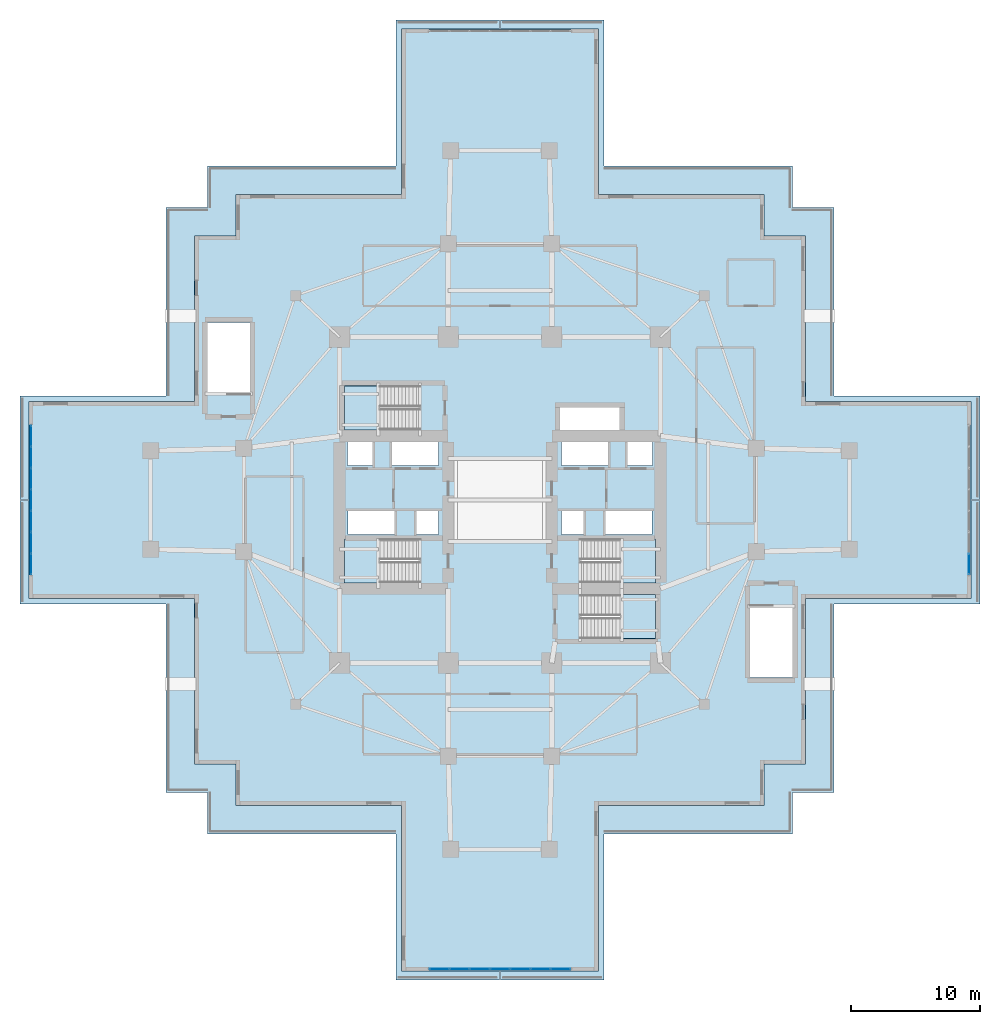
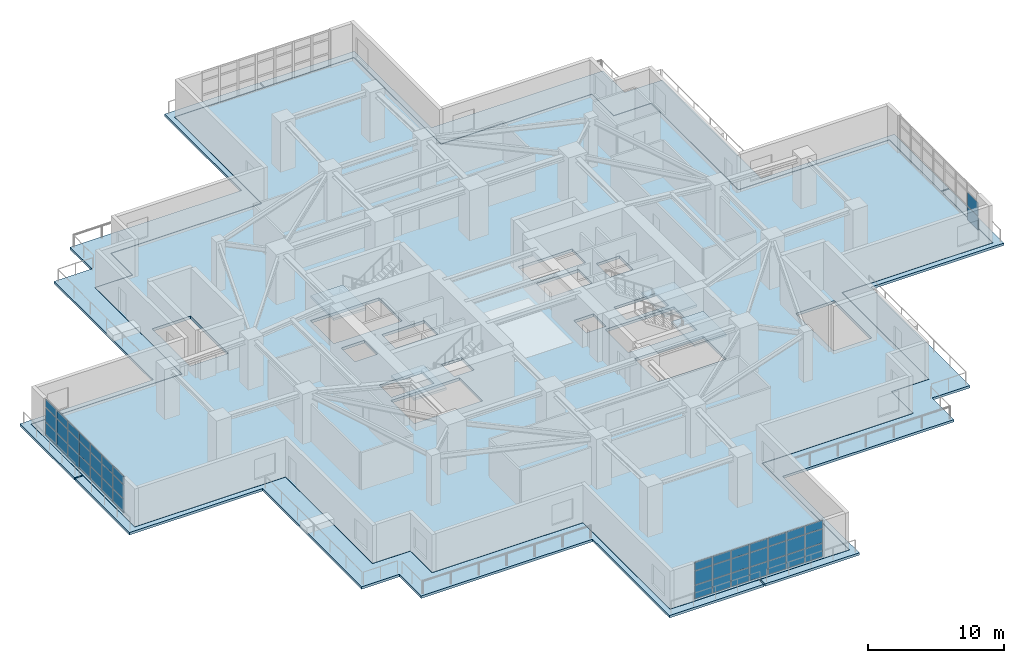
# One storey, part 13 of 24: 44 plates, 9 slabs, 7 elements without a shape of their own.
"""IFC4 building model written with IfcOpenShell, lengths in metres."""

from ifc_helpers import new_model, si_unit, direction, frame, origin, origin_2d, place, context, subcontext, project, spatial, polyline, rectangle, outline, extrude, material, layer, layer_set, type_object, element, aggregate, save


model = new_model("IFC4")

# Units and contexts
model_context = context("Model", 3, precision=1e-05, world=origin(), true_north=direction((0.0, 1.0)))
body_context = subcontext(model_context, "Body", "Model", "MODEL_VIEW")
ifc_project = project(units=[si_unit("LENGTHUNIT", "METRE"), si_unit("AREAUNIT", "SQUARE_METRE"), si_unit("VOLUMEUNIT", "CUBIC_METRE"), si_unit("PLANEANGLEUNIT", "RADIAN"), si_unit("MASSUNIT", "GRAM", prefix="KILO")], contexts=[model_context])

# Site, building, storey
site_placement = place(None, origin())
site = spatial("IfcSite", under=ifc_project, at=site_placement, CompositionType="ELEMENT")
building_placement = place(site_placement, origin())
building = spatial("IfcBuilding", under=site, at=building_placement, Name="Qingluan Cross Belvedere", CompositionType="ELEMENT")
storey_placement = place(building_placement, frame((0.0, 0.0, 19.199951171875)))
storey = spatial("IfcBuildingStorey", under=building, at=storey_placement, Name="L05", CompositionType="ELEMENT", Elevation=19.199951171875)

# Curtain wall, plates
ifc_material_1 = material(Name="Thermally broken aluminium and Low-E glass", Category="aluminium")
ifc_layer_1 = layer(ifc_material_1, 0.179931640625, Name="UnitisedCW_CascadeGarden")
ifc_layer_set_1 = layer_set([ifc_layer_1], Name="Thermally broken aluminium and Low-E glass")
curtain_wall_type = type_object("IfcCurtainWallType", Name="UnitisedCW_CascadeGarden", PredefinedType="USERDEFINED", material=ifc_layer_set_1)
curtain_wall_1_placement = place(storey_placement, origin())
curtain_wall_1 = element("IfcCurtainWall", 1, at=curtain_wall_1_placement, inside=storey, type_object=curtain_wall_type, Name="UnitisedCW_CascadeGarden run env:cw:L05:S", ObjectType="UNITISED CURTAIN WALL", PredefinedType="USERDEFINED")
ifc_material_2 = material(Name="Ceramic-fritted insulated spandrel glass", Category="glass")
ifc_layer_2 = layer(ifc_material_2, 0.0439453125, Name="CWSpandrelPanel_44")
ifc_layer_set_2 = layer_set([ifc_layer_2], Name="Ceramic-fritted insulated spandrel glass")
plate_type = type_object("IfcPlateType", Name="CWSpandrelPanel_44", PredefinedType="CURTAIN_PANEL", material=ifc_layer_set_2)
plate_1_placement = place(storey_placement, frame((4.68212890625, -36.239990234375, 0.06005859375), z_axis=(0.0, 0.0, 1.0), x_axis=(-1.0, 0.0, 0.0)))
plate_1 = element("IfcPlate", 2, at=plate_1_placement, type_object=plate_type, Name="CW-P3 panel 1.1", PredefinedType="CURTAIN_PANEL", context=body_context, shape_type="SweptSolid", body=[
    extrude(rectangle(XDim=1.475830078125, YDim=0.028076171875, at=origin_2d()), origin(), (0.0, 0.0, 1.0), 1.194091796875),
])
plate_2_placement = place(storey_placement, frame((4.68212890625, -36.239990234375, 1.31396484375), z_axis=(0.0, 0.0, 1.0), x_axis=(-1.0, 0.0, 0.0)))
plate_2 = element("IfcPlate", 3, at=plate_2_placement, type_object=plate_type, Name="CW-P3 panel 1.2", PredefinedType="CURTAIN_PANEL", context=body_context, shape_type="SweptSolid", body=[
    extrude(rectangle(XDim=1.475830078125, YDim=0.028076171875, at=origin_2d()), origin(), (0.0, 0.0, 1.0), 1.22509765625),
])
plate_3_placement = place(storey_placement, frame((4.68212890625, -36.239990234375, 2.59912109375), z_axis=(0.0, 0.0, 1.0), x_axis=(-1.0, 0.0, 0.0)))
plate_3 = element("IfcPlate", 4, at=plate_3_placement, type_object=plate_type, Name="CW-P3 panel 1.3", PredefinedType="CURTAIN_PANEL", context=body_context, shape_type="SweptSolid", body=[
    extrude(rectangle(XDim=1.475830078125, YDim=0.028076171875, at=origin_2d()), origin(), (0.0, 0.0, 1.0), 0.720947265625),
])
plate_4_placement = place(storey_placement, frame((3.13134765625, -36.239990234375, 0.06005859375), z_axis=(0.0, 0.0, 1.0), x_axis=(-1.0, 0.0, 0.0)))
plate_4 = element("IfcPlate", 5, at=plate_4_placement, type_object=plate_type, Name="CW-P3 panel 2.1", PredefinedType="CURTAIN_PANEL", context=body_context, shape_type="SweptSolid", body=[
    extrude(rectangle(XDim=1.505615234375, YDim=0.028076171875, at=origin_2d()), origin(), (0.0, 0.0, 1.0), 1.194091796875),
])
plate_5_placement = place(storey_placement, frame((3.13134765625, -36.239990234375, 1.31396484375), z_axis=(0.0, 0.0, 1.0), x_axis=(-1.0, 0.0, 0.0)))
plate_5 = element("IfcPlate", 6, at=plate_5_placement, type_object=plate_type, Name="CW-P3 panel 2.2", PredefinedType="CURTAIN_PANEL", context=body_context, shape_type="SweptSolid", body=[
    extrude(rectangle(XDim=1.505615234375, YDim=0.028076171875, at=origin_2d()), origin(), (0.0, 0.0, 1.0), 1.22509765625),
])
plate_6_placement = place(storey_placement, frame((3.13134765625, -36.239990234375, 2.59912109375), z_axis=(0.0, 0.0, 1.0), x_axis=(-1.0, 0.0, 0.0)))
plate_6 = element("IfcPlate", 7, at=plate_6_placement, type_object=plate_type, Name="CW-P3 panel 2.3", PredefinedType="CURTAIN_PANEL", context=body_context, shape_type="SweptSolid", body=[
    extrude(rectangle(XDim=1.505615234375, YDim=0.028076171875, at=origin_2d()), origin(), (0.0, 0.0, 1.0), 0.720947265625),
])
plate_7_placement = place(storey_placement, frame((1.565673828125, -36.239990234375, 0.06005859375), z_axis=(0.0, 0.0, 1.0), x_axis=(-1.0, 0.0, 0.0)))
plate_7 = element("IfcPlate", 8, at=plate_7_placement, type_object=plate_type, Name="CW-P3 panel 3.1", PredefinedType="CURTAIN_PANEL", context=body_context, shape_type="SweptSolid", body=[
    extrude(rectangle(XDim=1.505615234375, YDim=0.028076171875, at=origin_2d()), origin(), (0.0, 0.0, 1.0), 1.194091796875),
])
plate_8_placement = place(storey_placement, frame((1.565673828125, -36.239990234375, 1.31396484375), z_axis=(0.0, 0.0, 1.0), x_axis=(-1.0, 0.0, 0.0)))
plate_8 = element("IfcPlate", 9, at=plate_8_placement, type_object=plate_type, Name="CW-P3 panel 3.2", PredefinedType="CURTAIN_PANEL", context=body_context, shape_type="SweptSolid", body=[
    extrude(rectangle(XDim=1.505615234375, YDim=0.028076171875, at=origin_2d()), origin(), (0.0, 0.0, 1.0), 1.22509765625),
])
plate_9_placement = place(storey_placement, frame((1.565673828125, -36.239990234375, 2.59912109375), z_axis=(0.0, 0.0, 1.0), x_axis=(-1.0, 0.0, 0.0)))
plate_9 = element("IfcPlate", 10, at=plate_9_placement, type_object=plate_type, Name="CW-P3 panel 3.3", PredefinedType="CURTAIN_PANEL", context=body_context, shape_type="SweptSolid", body=[
    extrude(rectangle(XDim=1.505615234375, YDim=0.028076171875, at=origin_2d()), origin(), (0.0, 0.0, 1.0), 0.720947265625),
])
plate_10_placement = place(storey_placement, frame((0.0, -36.239990234375, 0.06005859375), z_axis=(0.0, 0.0, 1.0), x_axis=(-1.0, 0.0, 0.0)))
plate_10 = element("IfcPlate", 11, at=plate_10_placement, type_object=plate_type, Name="CW-P3 panel 4.1", PredefinedType="CURTAIN_PANEL", context=body_context, shape_type="SweptSolid", body=[
    extrude(rectangle(XDim=1.505615234375, YDim=0.028076171875, at=origin_2d()), origin(), (0.0, 0.0, 1.0), 1.194091796875),
])
plate_11_placement = place(storey_placement, frame((0.0, -36.239990234375, 1.31396484375), z_axis=(0.0, 0.0, 1.0), x_axis=(-1.0, 0.0, 0.0)))
plate_11 = element("IfcPlate", 12, at=plate_11_placement, type_object=plate_type, Name="CW-P3 panel 4.2", PredefinedType="CURTAIN_PANEL", context=body_context, shape_type="SweptSolid", body=[
    extrude(rectangle(XDim=1.505615234375, YDim=0.028076171875, at=origin_2d()), origin(), (0.0, 0.0, 1.0), 1.22509765625),
])
plate_12_placement = place(storey_placement, frame((0.0, -36.239990234375, 2.59912109375), z_axis=(0.0, 0.0, 1.0), x_axis=(-1.0, 0.0, 0.0)))
plate_12 = element("IfcPlate", 13, at=plate_12_placement, type_object=plate_type, Name="CW-P3 panel 4.3", PredefinedType="CURTAIN_PANEL", context=body_context, shape_type="SweptSolid", body=[
    extrude(rectangle(XDim=1.505615234375, YDim=0.028076171875, at=origin_2d()), origin(), (0.0, 0.0, 1.0), 0.720947265625),
])
plate_13_placement = place(storey_placement, frame((-1.565673828125, -36.239990234375, 0.06005859375), z_axis=(0.0, 0.0, 1.0), x_axis=(-1.0, 0.0, 0.0)))
plate_13 = element("IfcPlate", 14, at=plate_13_placement, type_object=plate_type, Name="CW-P3 panel 5.1", PredefinedType="CURTAIN_PANEL", context=body_context, shape_type="SweptSolid", body=[
    extrude(rectangle(XDim=1.505615234375, YDim=0.028076171875, at=origin_2d()), origin(), (0.0, 0.0, 1.0), 1.194091796875),
])
plate_14_placement = place(storey_placement, frame((-1.565673828125, -36.239990234375, 1.31396484375), z_axis=(0.0, 0.0, 1.0), x_axis=(-1.0, 0.0, 0.0)))
plate_14 = element("IfcPlate", 15, at=plate_14_placement, type_object=plate_type, Name="CW-P3 panel 5.2", PredefinedType="CURTAIN_PANEL", context=body_context, shape_type="SweptSolid", body=[
    extrude(rectangle(XDim=1.505615234375, YDim=0.028076171875, at=origin_2d()), origin(), (0.0, 0.0, 1.0), 1.22509765625),
])
plate_15_placement = place(storey_placement, frame((-1.565673828125, -36.239990234375, 2.59912109375), z_axis=(0.0, 0.0, 1.0), x_axis=(-1.0, 0.0, 0.0)))
plate_15 = element("IfcPlate", 16, at=plate_15_placement, type_object=plate_type, Name="CW-P3 panel 5.3", PredefinedType="CURTAIN_PANEL", context=body_context, shape_type="SweptSolid", body=[
    extrude(rectangle(XDim=1.505615234375, YDim=0.028076171875, at=origin_2d()), origin(), (0.0, 0.0, 1.0), 0.720947265625),
])
plate_16_placement = place(storey_placement, frame((-3.13134765625, -36.239990234375, 0.06005859375), z_axis=(0.0, 0.0, 1.0), x_axis=(-1.0, 0.0, 0.0)))
plate_16 = element("IfcPlate", 17, at=plate_16_placement, type_object=plate_type, Name="CW-P3 panel 6.1", PredefinedType="CURTAIN_PANEL", context=body_context, shape_type="SweptSolid", body=[
    extrude(rectangle(XDim=1.505615234375, YDim=0.028076171875, at=origin_2d()), origin(), (0.0, 0.0, 1.0), 1.194091796875),
])
plate_17_placement = place(storey_placement, frame((-3.13134765625, -36.239990234375, 1.31396484375), z_axis=(0.0, 0.0, 1.0), x_axis=(-1.0, 0.0, 0.0)))
plate_17 = element("IfcPlate", 18, at=plate_17_placement, type_object=plate_type, Name="CW-P3 panel 6.2", PredefinedType="CURTAIN_PANEL", context=body_context, shape_type="SweptSolid", body=[
    extrude(rectangle(XDim=1.505615234375, YDim=0.028076171875, at=origin_2d()), origin(), (0.0, 0.0, 1.0), 1.22509765625),
])
plate_18_placement = place(storey_placement, frame((-3.13134765625, -36.239990234375, 2.59912109375), z_axis=(0.0, 0.0, 1.0), x_axis=(-1.0, 0.0, 0.0)))
plate_18 = element("IfcPlate", 19, at=plate_18_placement, type_object=plate_type, Name="CW-P3 panel 6.3", PredefinedType="CURTAIN_PANEL", context=body_context, shape_type="SweptSolid", body=[
    extrude(rectangle(XDim=1.505615234375, YDim=0.028076171875, at=origin_2d()), origin(), (0.0, 0.0, 1.0), 0.720947265625),
])
plate_19_placement = place(storey_placement, frame((-4.68212890625, -36.239990234375, 0.06005859375), z_axis=(0.0, 0.0, 1.0), x_axis=(-1.0, 0.0, 0.0)))
plate_19 = element("IfcPlate", 20, at=plate_19_placement, type_object=plate_type, Name="CW-P3 panel 7.1", PredefinedType="CURTAIN_PANEL", context=body_context, shape_type="SweptSolid", body=[
    extrude(rectangle(XDim=1.475830078125, YDim=0.028076171875, at=origin_2d()), origin(), (0.0, 0.0, 1.0), 1.194091796875),
])
plate_20_placement = place(storey_placement, frame((-4.68212890625, -36.239990234375, 1.31396484375), z_axis=(0.0, 0.0, 1.0), x_axis=(-1.0, 0.0, 0.0)))
plate_20 = element("IfcPlate", 21, at=plate_20_placement, type_object=plate_type, Name="CW-P3 panel 7.2", PredefinedType="CURTAIN_PANEL", context=body_context, shape_type="SweptSolid", body=[
    extrude(rectangle(XDim=1.475830078125, YDim=0.028076171875, at=origin_2d()), origin(), (0.0, 0.0, 1.0), 1.22509765625),
])
plate_21_placement = place(storey_placement, frame((-4.68212890625, -36.239990234375, 2.59912109375), z_axis=(0.0, 0.0, 1.0), x_axis=(-1.0, 0.0, 0.0)))
plate_21 = element("IfcPlate", 22, at=plate_21_placement, type_object=plate_type, Name="CW-P3 panel 7.3", PredefinedType="CURTAIN_PANEL", context=body_context, shape_type="SweptSolid", body=[
    extrude(rectangle(XDim=1.475830078125, YDim=0.028076171875, at=origin_2d()), origin(), (0.0, 0.0, 1.0), 0.720947265625),
])
aggregate(curtain_wall_1, [plate_1, plate_2, plate_3, plate_4, plate_5, plate_6, plate_7, plate_8, plate_9, plate_10, plate_11, plate_12, plate_13, plate_14, plate_15, plate_16, plate_17, plate_18, plate_19, plate_20, plate_21])

curtain_wall_2_placement = place(storey_placement, origin())
curtain_wall_2 = element("IfcCurtainWall", 23, at=curtain_wall_2_placement, inside=storey, type_object=curtain_wall_type, Name="UnitisedCW_CascadeGarden run env:cw:L05:W", ObjectType="UNITISED CURTAIN WALL", PredefinedType="USERDEFINED")
plate_22_placement = place(storey_placement, frame((-36.239990234375, -4.95654296875, 0.06005859375), z_axis=(0.0, 0.0, 1.0), x_axis=(0.0, 1.0, 0.0)))
plate_22 = element("IfcPlate", 24, at=plate_22_placement, type_object=plate_type, Name="CW-P3 panel 1.1", PredefinedType="CURTAIN_PANEL", context=body_context, shape_type="SweptSolid", body=[
    extrude(rectangle(XDim=1.567138671875, YDim=0.028076171875, at=origin_2d()), origin(), (0.0, 0.0, 1.0), 1.194091796875),
])
plate_23_placement = place(storey_placement, frame((-36.239990234375, -4.95654296875, 1.31396484375), z_axis=(0.0, 0.0, 1.0), x_axis=(0.0, 1.0, 0.0)))
plate_23 = element("IfcPlate", 25, at=plate_23_placement, type_object=plate_type, Name="CW-P3 panel 1.2", PredefinedType="CURTAIN_PANEL", context=body_context, shape_type="SweptSolid", body=[
    extrude(rectangle(XDim=1.567138671875, YDim=0.028076171875, at=origin_2d()), origin(), (0.0, 0.0, 1.0), 1.22509765625),
])
plate_24_placement = place(storey_placement, frame((-36.239990234375, -4.95654296875, 2.59912109375), z_axis=(0.0, 0.0, 1.0), x_axis=(0.0, 1.0, 0.0)))
plate_24 = element("IfcPlate", 26, at=plate_24_placement, type_object=plate_type, Name="CW-P3 panel 1.3", PredefinedType="CURTAIN_PANEL", context=body_context, shape_type="SweptSolid", body=[
    extrude(rectangle(XDim=1.567138671875, YDim=0.028076171875, at=origin_2d()), origin(), (0.0, 0.0, 1.0), 0.720947265625),
])
plate_25_placement = place(storey_placement, frame((-36.239990234375, -3.314208984375, 0.06005859375), z_axis=(0.0, 0.0, 1.0), x_axis=(0.0, 1.0, 0.0)))
plate_25 = element("IfcPlate", 27, at=plate_25_placement, type_object=plate_type, Name="CW-P3 panel 2.1", PredefinedType="CURTAIN_PANEL", context=body_context, shape_type="SweptSolid", body=[
    extrude(rectangle(XDim=1.59716796875, YDim=0.028076171875, at=origin_2d()), origin(), (0.0, 0.0, 1.0), 1.194091796875),
])
plate_26_placement = place(storey_placement, frame((-36.239990234375, -3.314208984375, 1.31396484375), z_axis=(0.0, 0.0, 1.0), x_axis=(0.0, 1.0, 0.0)))
plate_26 = element("IfcPlate", 28, at=plate_26_placement, type_object=plate_type, Name="CW-P3 panel 2.2", PredefinedType="CURTAIN_PANEL", context=body_context, shape_type="SweptSolid", body=[
    extrude(rectangle(XDim=1.59716796875, YDim=0.028076171875, at=origin_2d()), origin(), (0.0, 0.0, 1.0), 1.22509765625),
])
plate_27_placement = place(storey_placement, frame((-36.239990234375, -3.314208984375, 2.59912109375), z_axis=(0.0, 0.0, 1.0), x_axis=(0.0, 1.0, 0.0)))
plate_27 = element("IfcPlate", 29, at=plate_27_placement, type_object=plate_type, Name="CW-P3 panel 2.3", PredefinedType="CURTAIN_PANEL", context=body_context, shape_type="SweptSolid", body=[
    extrude(rectangle(XDim=1.59716796875, YDim=0.028076171875, at=origin_2d()), origin(), (0.0, 0.0, 1.0), 0.720947265625),
])
plate_28_placement = place(storey_placement, frame((-36.239990234375, -1.6572265625, 0.06005859375), z_axis=(0.0, 0.0, 1.0), x_axis=(0.0, 1.0, 0.0)))
plate_28 = element("IfcPlate", 30, at=plate_28_placement, type_object=plate_type, Name="CW-P3 panel 3.1", PredefinedType="CURTAIN_PANEL", context=body_context, shape_type="SweptSolid", body=[
    extrude(rectangle(XDim=1.59716796875, YDim=0.028076171875, at=origin_2d()), origin(), (0.0, 0.0, 1.0), 1.194091796875),
])
plate_29_placement = place(storey_placement, frame((-36.239990234375, -1.6572265625, 1.31396484375), z_axis=(0.0, 0.0, 1.0), x_axis=(0.0, 1.0, 0.0)))
plate_29 = element("IfcPlate", 31, at=plate_29_placement, type_object=plate_type, Name="CW-P3 panel 3.2", PredefinedType="CURTAIN_PANEL", context=body_context, shape_type="SweptSolid", body=[
    extrude(rectangle(XDim=1.59716796875, YDim=0.028076171875, at=origin_2d()), origin(), (0.0, 0.0, 1.0), 1.22509765625),
])
plate_30_placement = place(storey_placement, frame((-36.239990234375, -1.6572265625, 2.59912109375), z_axis=(0.0, 0.0, 1.0), x_axis=(0.0, 1.0, 0.0)))
plate_30 = element("IfcPlate", 32, at=plate_30_placement, type_object=plate_type, Name="CW-P3 panel 3.3", PredefinedType="CURTAIN_PANEL", context=body_context, shape_type="SweptSolid", body=[
    extrude(rectangle(XDim=1.59716796875, YDim=0.028076171875, at=origin_2d()), origin(), (0.0, 0.0, 1.0), 0.720947265625),
])
plate_31_placement = place(storey_placement, frame((-36.239990234375, 0.0, 0.06005859375), z_axis=(0.0, 0.0, 1.0), x_axis=(0.0, 1.0, 0.0)))
plate_31 = element("IfcPlate", 33, at=plate_31_placement, type_object=plate_type, Name="CW-P3 panel 4.1", PredefinedType="CURTAIN_PANEL", context=body_context, shape_type="SweptSolid", body=[
    extrude(rectangle(XDim=1.59716796875, YDim=0.028076171875, at=origin_2d()), origin(), (0.0, 0.0, 1.0), 1.194091796875),
])
plate_32_placement = place(storey_placement, frame((-36.239990234375, 0.0, 1.31396484375), z_axis=(0.0, 0.0, 1.0), x_axis=(0.0, 1.0, 0.0)))
plate_32 = element("IfcPlate", 34, at=plate_32_placement, type_object=plate_type, Name="CW-P3 panel 4.2", PredefinedType="CURTAIN_PANEL", context=body_context, shape_type="SweptSolid", body=[
    extrude(rectangle(XDim=1.59716796875, YDim=0.028076171875, at=origin_2d()), origin(), (0.0, 0.0, 1.0), 1.22509765625),
])
plate_33_placement = place(storey_placement, frame((-36.239990234375, 0.0, 2.59912109375), z_axis=(0.0, 0.0, 1.0), x_axis=(0.0, 1.0, 0.0)))
plate_33 = element("IfcPlate", 35, at=plate_33_placement, type_object=plate_type, Name="CW-P3 panel 4.3", PredefinedType="CURTAIN_PANEL", context=body_context, shape_type="SweptSolid", body=[
    extrude(rectangle(XDim=1.59716796875, YDim=0.028076171875, at=origin_2d()), origin(), (0.0, 0.0, 1.0), 0.720947265625),
])
plate_34_placement = place(storey_placement, frame((-36.239990234375, 1.6572265625, 0.06005859375), z_axis=(0.0, 0.0, 1.0), x_axis=(0.0, 1.0, 0.0)))
plate_34 = element("IfcPlate", 36, at=plate_34_placement, type_object=plate_type, Name="CW-P3 panel 5.1", PredefinedType="CURTAIN_PANEL", context=body_context, shape_type="SweptSolid", body=[
    extrude(rectangle(XDim=1.59716796875, YDim=0.028076171875, at=origin_2d()), origin(), (0.0, 0.0, 1.0), 1.194091796875),
])
plate_35_placement = place(storey_placement, frame((-36.239990234375, 1.6572265625, 1.31396484375), z_axis=(0.0, 0.0, 1.0), x_axis=(0.0, 1.0, 0.0)))
plate_35 = element("IfcPlate", 37, at=plate_35_placement, type_object=plate_type, Name="CW-P3 panel 5.2", PredefinedType="CURTAIN_PANEL", context=body_context, shape_type="SweptSolid", body=[
    extrude(rectangle(XDim=1.59716796875, YDim=0.028076171875, at=origin_2d()), origin(), (0.0, 0.0, 1.0), 1.22509765625),
])
plate_36_placement = place(storey_placement, frame((-36.239990234375, 1.6572265625, 2.59912109375), z_axis=(0.0, 0.0, 1.0), x_axis=(0.0, 1.0, 0.0)))
plate_36 = element("IfcPlate", 38, at=plate_36_placement, type_object=plate_type, Name="CW-P3 panel 5.3", PredefinedType="CURTAIN_PANEL", context=body_context, shape_type="SweptSolid", body=[
    extrude(rectangle(XDim=1.59716796875, YDim=0.028076171875, at=origin_2d()), origin(), (0.0, 0.0, 1.0), 0.720947265625),
])
plate_37_placement = place(storey_placement, frame((-36.239990234375, 3.314208984375, 0.06005859375), z_axis=(0.0, 0.0, 1.0), x_axis=(0.0, 1.0, 0.0)))
plate_37 = element("IfcPlate", 39, at=plate_37_placement, type_object=plate_type, Name="CW-P3 panel 6.1", PredefinedType="CURTAIN_PANEL", context=body_context, shape_type="SweptSolid", body=[
    extrude(rectangle(XDim=1.59716796875, YDim=0.028076171875, at=origin_2d()), origin(), (0.0, 0.0, 1.0), 1.194091796875),
])
plate_38_placement = place(storey_placement, frame((-36.239990234375, 3.314208984375, 1.31396484375), z_axis=(0.0, 0.0, 1.0), x_axis=(0.0, 1.0, 0.0)))
plate_38 = element("IfcPlate", 40, at=plate_38_placement, type_object=plate_type, Name="CW-P3 panel 6.2", PredefinedType="CURTAIN_PANEL", context=body_context, shape_type="SweptSolid", body=[
    extrude(rectangle(XDim=1.59716796875, YDim=0.028076171875, at=origin_2d()), origin(), (0.0, 0.0, 1.0), 1.22509765625),
])
plate_39_placement = place(storey_placement, frame((-36.239990234375, 3.314208984375, 2.59912109375), z_axis=(0.0, 0.0, 1.0), x_axis=(0.0, 1.0, 0.0)))
plate_39 = element("IfcPlate", 41, at=plate_39_placement, type_object=plate_type, Name="CW-P3 panel 6.3", PredefinedType="CURTAIN_PANEL", context=body_context, shape_type="SweptSolid", body=[
    extrude(rectangle(XDim=1.59716796875, YDim=0.028076171875, at=origin_2d()), origin(), (0.0, 0.0, 1.0), 0.720947265625),
])
plate_40_placement = place(storey_placement, frame((-36.239990234375, 4.95654296875, 0.06005859375), z_axis=(0.0, 0.0, 1.0), x_axis=(0.0, 1.0, 0.0)))
plate_40 = element("IfcPlate", 42, at=plate_40_placement, type_object=plate_type, Name="CW-P3 panel 7.1", PredefinedType="CURTAIN_PANEL", context=body_context, shape_type="SweptSolid", body=[
    extrude(rectangle(XDim=1.567138671875, YDim=0.028076171875, at=origin_2d()), origin(), (0.0, 0.0, 1.0), 1.194091796875),
])
plate_41_placement = place(storey_placement, frame((-36.239990234375, 4.95654296875, 1.31396484375), z_axis=(0.0, 0.0, 1.0), x_axis=(0.0, 1.0, 0.0)))
plate_41 = element("IfcPlate", 43, at=plate_41_placement, type_object=plate_type, Name="CW-P3 panel 7.2", PredefinedType="CURTAIN_PANEL", context=body_context, shape_type="SweptSolid", body=[
    extrude(rectangle(XDim=1.567138671875, YDim=0.028076171875, at=origin_2d()), origin(), (0.0, 0.0, 1.0), 1.22509765625),
])
plate_42_placement = place(storey_placement, frame((-36.239990234375, 4.95654296875, 2.59912109375), z_axis=(0.0, 0.0, 1.0), x_axis=(0.0, 1.0, 0.0)))
plate_42 = element("IfcPlate", 44, at=plate_42_placement, type_object=plate_type, Name="CW-P3 panel 7.3", PredefinedType="CURTAIN_PANEL", context=body_context, shape_type="SweptSolid", body=[
    extrude(rectangle(XDim=1.567138671875, YDim=0.028076171875, at=origin_2d()), origin(), (0.0, 0.0, 1.0), 0.720947265625),
])
aggregate(curtain_wall_2, [plate_22, plate_23, plate_24, plate_25, plate_26, plate_27, plate_28, plate_29, plate_30, plate_31, plate_32, plate_33, plate_34, plate_35, plate_36, plate_37, plate_38, plate_39, plate_40, plate_41, plate_42])

curtain_wall_3_placement = place(storey_placement, origin())
curtain_wall_3 = element("IfcCurtainWall", 45, at=curtain_wall_3_placement, inside=storey, type_object=curtain_wall_type, Name="UnitisedCW_CascadeGarden run env:cw:L05:E", ObjectType="UNITISED CURTAIN WALL", PredefinedType="USERDEFINED")
plate_43_placement = place(storey_placement, frame((36.239990234375, -4.95654296875, 0.06005859375), z_axis=(0.0, 0.0, 1.0), x_axis=(0.0, -1.0, 0.0)))
plate_43 = element("IfcPlate", 46, at=plate_43_placement, type_object=plate_type, Name="CW-P3 panel 7.1", PredefinedType="CURTAIN_PANEL", context=body_context, shape_type="SweptSolid", body=[
    extrude(rectangle(XDim=1.567138671875, YDim=0.028076171875, at=origin_2d()), origin(), (0.0, 0.0, 1.0), 1.194091796875),
])
plate_44_placement = place(storey_placement, frame((36.239990234375, -4.95654296875, 1.31396484375), z_axis=(0.0, 0.0, 1.0), x_axis=(0.0, -1.0, 0.0)))
plate_44 = element("IfcPlate", 47, at=plate_44_placement, type_object=plate_type, Name="CW-P3 panel 7.2", PredefinedType="CURTAIN_PANEL", context=body_context, shape_type="SweptSolid", body=[
    extrude(rectangle(XDim=1.567138671875, YDim=0.028076171875, at=origin_2d()), origin(), (0.0, 0.0, 1.0), 1.22509765625),
])
aggregate(curtain_wall_3, [plate_43, plate_44])

# Slab
ifc_material_3 = material(Name="Concrete C40", Category="concrete")
ifc_layer_3 = layer(ifc_material_3, 0.25, Name="FloorSlab_250")
ifc_layer_set_3 = layer_set([ifc_layer_3], Name="Concrete C40")
slab_type_1 = type_object("IfcSlabType", Name="FloorSlab_250", PredefinedType="FLOOR", material=ifc_layer_set_3)
slab_1_placement = place(storey_placement, frame((0.0, 0.0, -0.25)))
element("IfcSlab", 48, at=slab_1_placement, inside=storey, type_object=slab_type_1, Name="Structural floor slab L05", PredefinedType="FLOOR", context=body_context, shape_type="SweptSolid", body=[
    extrude(outline(polyline([(20.39990234375, -23.60009765625), (20.39990234375, -20.39990234375), (23.60009765625, -20.39990234375), (23.60009765625, -7.60009765625), (36.39990234375, -7.60009765625), (36.39990234375, 7.60009765625), (23.60009765625, 7.60009765625), (23.60009765625, 20.39990234375), (20.39990234375, 20.39990234375), (20.39990234375, 23.60009765625), (7.60009765625, 23.60009765625), (7.60009765625, 36.39990234375), (-7.60009765625, 36.39990234375), (-7.60009765625, 23.60009765625), (-20.39990234375, 23.60009765625), (-20.39990234375, 20.39990234375), (-23.60009765625, 20.39990234375), (-23.60009765625, 7.60009765625), (-36.39990234375, 7.60009765625), (-36.39990234375, -7.60009765625), (-23.60009765625, -7.60009765625), (-23.60009765625, -20.39990234375), (-20.39990234375, -20.39990234375), (-20.39990234375, -23.60009765625), (-7.60009765625, -23.60009765625), (-7.60009765625, -36.39990234375), (7.60009765625, -36.39990234375), (7.60009765625, -23.60009765625), (20.39990234375, -23.60009765625)]), holes=[polyline([(-12.0, -3.0), (-6.179931640625, -3.0), (-6.179931640625, -6.39990234375), (-12.0, -6.39990234375), (-12.0, -3.0)]), polyline([(6.179931640625, -3.0), (12.0, -3.0), (12.0, -6.39990234375), (6.179931640625, -6.39990234375), (6.179931640625, -3.0)]), polyline([(-12.0, 8.820068359375), (-6.179931640625, 8.820068359375), (-6.179931640625, 5.419921875), (-12.0, 5.419921875), (-12.0, 8.820068359375)]), polyline([(6.179931640625, -7.320068359375), (12.0, -7.320068359375), (12.0, -10.719970703125), (6.179931640625, -10.719970703125), (6.179931640625, -7.320068359375)]), polyline([(-22.60009765625, 13.72998046875), (-19.340087890625, 13.72998046875), (-19.340087890625, 8.2099609375), (-22.60009765625, 8.2099609375), (-22.60009765625, 13.72998046875)]), polyline([(19.340087890625, -8.2099609375), (22.60009765625, -8.2099609375), (22.60009765625, -13.72998046875), (19.340087890625, -13.72998046875), (19.340087890625, -8.2099609375)]), polyline([(-11.800048828125, 4.64990234375), (-9.85009765625, 4.64990234375), (-9.85009765625, 2.64990234375), (-11.800048828125, 2.64990234375), (-11.800048828125, 4.64990234375)]), polyline([(-8.35009765625, 4.64990234375), (-4.75, 4.64990234375), (-4.75, 2.64990234375), (-8.35009765625, 2.64990234375), (-8.35009765625, 4.64990234375)]), polyline([(4.75, 4.64990234375), (8.35009765625, 4.64990234375), (8.35009765625, 2.64990234375), (4.75, 2.64990234375), (4.75, 4.64990234375)]), polyline([(9.85009765625, 4.64990234375), (11.800048828125, 4.64990234375), (11.800048828125, 2.64990234375), (9.85009765625, 2.64990234375), (9.85009765625, 4.64990234375)]), polyline([(-11.75, -0.840087890625), (-8.14990234375, -0.840087890625), (-8.14990234375, -2.659912109375), (-11.75, -2.659912109375), (-11.75, -0.840087890625)]), polyline([(-6.449951171875, -0.840087890625), (-4.75, -0.840087890625), (-4.75, -2.659912109375), (-6.449951171875, -2.659912109375), (-6.449951171875, -0.840087890625)]), polyline([(4.75, -0.840087890625), (6.449951171875, -0.840087890625), (6.449951171875, -2.659912109375), (4.75, -2.659912109375), (4.75, -0.840087890625)]), polyline([(8.14990234375, -0.840087890625), (11.75, -0.840087890625), (11.75, -2.659912109375), (8.14990234375, -2.659912109375), (8.14990234375, -0.840087890625)]), polyline([(4.64990234375, 7.14990234375), (9.25, 7.14990234375), (9.25, 5.14990234375), (4.64990234375, 5.14990234375), (4.64990234375, 7.14990234375)])]), origin(), (0.0, 0.0, 1.0), 0.25),
])

# Stair, slab
ifc_material_4 = material(Name="Concrete C40", Category="concrete")
stair_type = type_object("IfcStairType", Name="CoreDoglegStair_1620", PredefinedType="HALF_TURN_STAIR", material=ifc_material_4)
stair_1_placement = place(storey_placement, origin())
stair_1 = element("IfcStair", 49, at=stair_1_placement, inside=storey, type_object=stair_type, Name="L05 ST1", PredefinedType="HALF_TURN_STAIR")
ifc_material_5 = material(Name="Concrete C40", Category="concrete")
ifc_layer_4 = layer(ifc_material_5, 0.179931640625, Name="StairLandingSlab_180")
ifc_layer_set_4 = layer_set([ifc_layer_4], Name="Concrete C40")
slab_type_2 = type_object("IfcSlabType", Name="StairLandingSlab_180", PredefinedType="LANDING", material=ifc_layer_set_4)
slab_2_placement = place(storey_placement, frame((0.0, 0.0, 2.050048828125)))
slab_2 = element("IfcSlab", 50, at=slab_2_placement, type_object=slab_type_2, Name="ST1 landing 1", PredefinedType="LANDING", context=body_context, shape_type="SweptSolid", body=[
    extrude(outline(polyline([(-9.260009765625, -3.0), (-12.0, -3.0), (-12.0, -6.39990234375), (-9.260009765625, -6.39990234375), (-9.260009765625, -3.0)])), origin(), (0.0, 0.0, 1.0), 0.199951171875),
])
aggregate(stair_1, [slab_2])

stair_2_placement = place(storey_placement, origin())
stair_2 = element("IfcStair", 51, at=stair_2_placement, inside=storey, type_object=stair_type, Name="L05 ST2", PredefinedType="HALF_TURN_STAIR")
slab_3_placement = place(storey_placement, frame((0.0, 0.0, 2.050048828125)))
slab_3 = element("IfcSlab", 52, at=slab_3_placement, type_object=slab_type_2, Name="ST2 landing 1", PredefinedType="LANDING", context=body_context, shape_type="SweptSolid", body=[
    extrude(outline(polyline([(9.260009765625, -6.39990234375), (12.0, -6.39990234375), (12.0, -3.0), (9.260009765625, -3.0), (9.260009765625, -6.39990234375)])), origin(), (0.0, 0.0, 1.0), 0.199951171875),
])
aggregate(stair_2, [slab_3])

stair_3_placement = place(storey_placement, origin())
stair_3 = element("IfcStair", 53, at=stair_3_placement, inside=storey, type_object=stair_type, Name="L05 ST3", PredefinedType="HALF_TURN_STAIR")
slab_4_placement = place(storey_placement, frame((0.0, 0.0, 2.050048828125)))
slab_4 = element("IfcSlab", 54, at=slab_4_placement, type_object=slab_type_2, Name="ST3 landing 1", PredefinedType="LANDING", context=body_context, shape_type="SweptSolid", body=[
    extrude(outline(polyline([(-9.260009765625, 8.820068359375), (-12.0, 8.820068359375), (-12.0, 5.419921875), (-9.260009765625, 5.419921875), (-9.260009765625, 8.820068359375)])), origin(), (0.0, 0.0, 1.0), 0.199951171875),
])
aggregate(stair_3, [slab_4])

stair_4_placement = place(storey_placement, origin())
stair_4 = element("IfcStair", 55, at=stair_4_placement, inside=storey, type_object=stair_type, Name="L05 ST4", PredefinedType="HALF_TURN_STAIR")
slab_5_placement = place(storey_placement, frame((0.0, 0.0, 2.050048828125)))
slab_5 = element("IfcSlab", 56, at=slab_5_placement, type_object=slab_type_2, Name="ST4 landing 1", PredefinedType="LANDING", context=body_context, shape_type="SweptSolid", body=[
    extrude(outline(polyline([(9.260009765625, -10.719970703125), (12.0, -10.719970703125), (12.0, -7.320068359375), (9.260009765625, -7.320068359375), (9.260009765625, -10.719970703125)])), origin(), (0.0, 0.0, 1.0), 0.199951171875),
])
aggregate(stair_4, [slab_5])

# Slabs
ifc_material_6 = material(Name="Concrete C40", Category="concrete")
ifc_layer_5 = layer(ifc_material_6, 0.219970703125, Name="TerraceSlab_220")
ifc_layer_set_5 = layer_set([ifc_layer_5], Name="Concrete C40")
slab_type_3 = type_object("IfcSlabType", Name="TerraceSlab_220", PredefinedType="FLOOR", material=ifc_layer_set_5)
slab_6_placement = place(storey_placement, frame((0.0, 0.0, -0.219970703125)))
element("IfcSlab", 57, at=slab_6_placement, inside=storey, type_object=slab_type_3, Name="Cascading garden terrace deck L05-1", PredefinedType="FLOOR", context=body_context, shape_type="SweptSolid", body=[
    extrude(outline(polyline([(0.050048828125, 37.10009765625), (0.050048828125, 36.419921875), (7.60009765625, 36.419921875), (7.61767578125, 36.409423828125), (7.6201171875, 23.6201171875), (20.41259765625, 23.615478515625), (20.419921875, 20.419921875), (23.60009765625, 20.419921875), (23.61962890625, 20.40380859375), (23.6201171875, 7.6201171875), (36.409423828125, 7.61767578125), (36.419921875, 7.60009765625), (36.419921875, 0.050048828125), (37.10009765625, 0.050048828125), (37.10009765625, 8.050048828125), (25.800048828125, 8.050048828125), (25.800048828125, 22.60009765625), (22.60009765625, 22.60009765625), (22.60009765625, 25.800048828125), (8.050048828125, 25.800048828125), (8.050048828125, 37.10009765625), (0.050048828125, 37.10009765625)])), origin(), (0.0, 0.0, 1.0), 0.219970703125),
])
slab_7_placement = place(storey_placement, frame((0.0, 0.0, -0.219970703125)))
element("IfcSlab", 58, at=slab_7_placement, inside=storey, type_object=slab_type_3, Name="Cascading garden terrace deck L05-2", PredefinedType="FLOOR", context=body_context, shape_type="SweptSolid", body=[
    extrude(outline(polyline([(-37.10009765625, 0.050048828125), (-36.419921875, 0.050048828125), (-36.419921875, 7.60009765625), (-36.409423828125, 7.61767578125), (-23.6201171875, 7.6201171875), (-23.615478515625, 20.41259765625), (-20.419921875, 20.419921875), (-20.419921875, 23.60009765625), (-20.40380859375, 23.61962890625), (-7.6201171875, 23.6201171875), (-7.61767578125, 36.409423828125), (-7.60009765625, 36.419921875), (-0.050048828125, 36.419921875), (-0.050048828125, 37.10009765625), (-8.050048828125, 37.10009765625), (-8.050048828125, 25.800048828125), (-22.60009765625, 25.800048828125), (-22.60009765625, 22.60009765625), (-25.800048828125, 22.60009765625), (-25.800048828125, 8.050048828125), (-37.10009765625, 8.050048828125), (-37.10009765625, 0.050048828125)])), origin(), (0.0, 0.0, 1.0), 0.219970703125),
])
slab_8_placement = place(storey_placement, frame((0.0, 0.0, -0.219970703125)))
element("IfcSlab", 59, at=slab_8_placement, inside=storey, type_object=slab_type_3, Name="Cascading garden terrace deck L05-3", PredefinedType="FLOOR", context=body_context, shape_type="SweptSolid", body=[
    extrude(outline(polyline([(-0.050048828125, -37.10009765625), (-0.050048828125, -36.419921875), (-7.60009765625, -36.419921875), (-7.61767578125, -36.409423828125), (-7.6201171875, -23.6201171875), (-20.41259765625, -23.615478515625), (-20.419921875, -20.419921875), (-23.60009765625, -20.419921875), (-23.61962890625, -20.40380859375), (-23.6201171875, -7.6201171875), (-36.409423828125, -7.61767578125), (-36.419921875, -7.60009765625), (-36.419921875, -0.050048828125), (-37.10009765625, -0.050048828125), (-37.10009765625, -8.050048828125), (-25.800048828125, -8.050048828125), (-25.800048828125, -22.60009765625), (-22.60009765625, -22.60009765625), (-22.60009765625, -25.800048828125), (-8.050048828125, -25.800048828125), (-8.050048828125, -37.10009765625), (-0.050048828125, -37.10009765625)])), origin(), (0.0, 0.0, 1.0), 0.219970703125),
])
slab_9_placement = place(storey_placement, frame((0.0, 0.0, -0.219970703125)))
element("IfcSlab", 60, at=slab_9_placement, inside=storey, type_object=slab_type_3, Name="Cascading garden terrace deck L05-4", PredefinedType="FLOOR", context=body_context, shape_type="SweptSolid", body=[
    extrude(outline(polyline([(8.050048828125, -37.10009765625), (8.050048828125, -25.800048828125), (22.60009765625, -25.800048828125), (22.60009765625, -22.60009765625), (25.800048828125, -22.60009765625), (25.800048828125, -8.050048828125), (37.10009765625, -8.050048828125), (37.10009765625, -0.050048828125), (36.419921875, -0.050048828125), (36.4140625, -7.614013671875), (23.6201171875, -7.6201171875), (23.615478515625, -20.41259765625), (20.419921875, -20.419921875), (20.419921875, -23.60009765625), (20.40380859375, -23.61962890625), (7.6201171875, -23.6201171875), (7.61767578125, -36.409423828125), (7.60009765625, -36.419921875), (0.050048828125, -36.419921875), (0.050048828125, -37.10009765625), (8.050048828125, -37.10009765625)])), origin(), (0.0, 0.0, 1.0), 0.219970703125),
])

save(model, "model.ifc")
